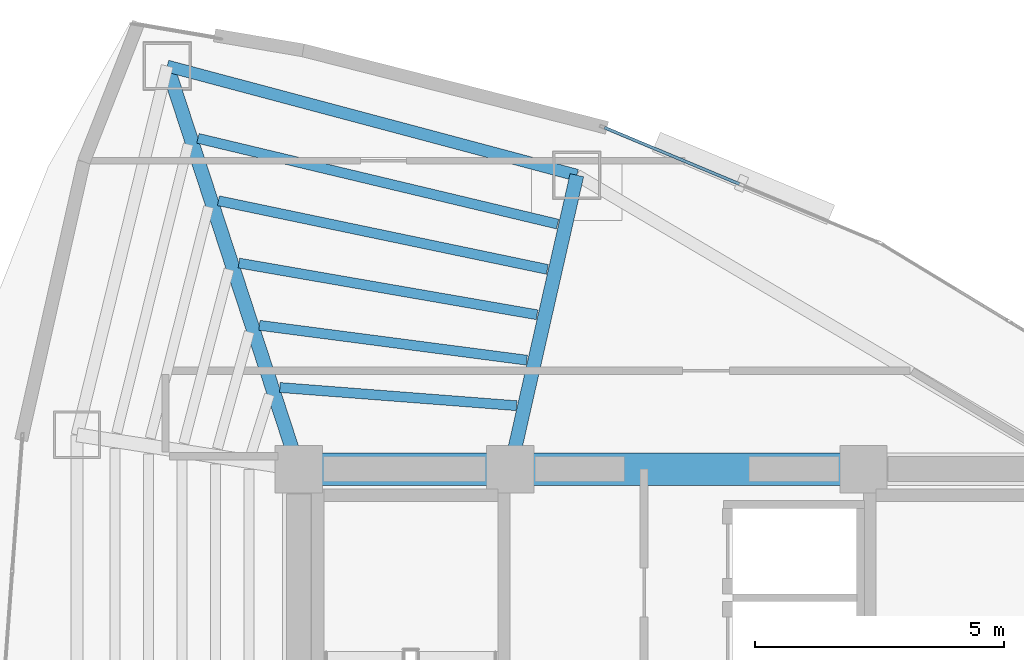
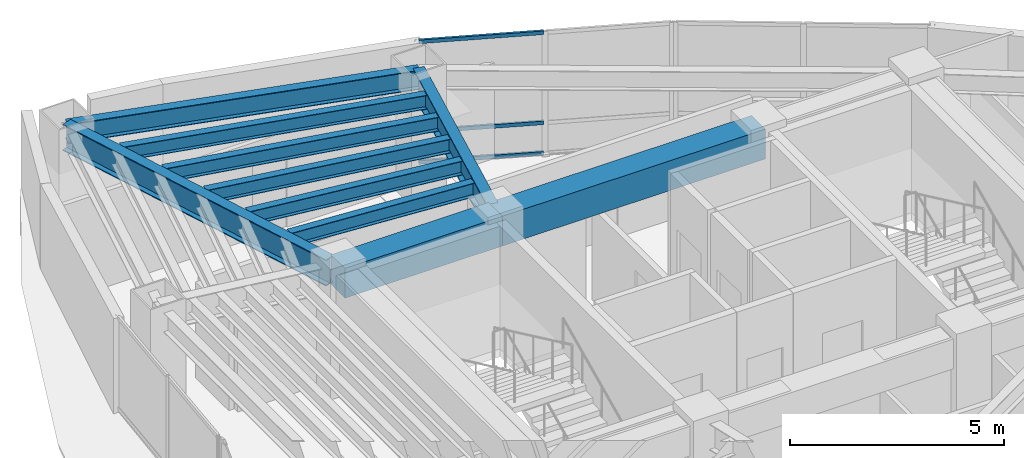
# One storey, part 8 of 15: 10 beams, 3 members, 1 element without a shape of its own.
"""IFC4 building model written with IfcOpenShell, lengths in metres."""

from ifc_helpers import new_model, si_unit, direction, frame, origin, origin_2d, place, context, subcontext, project, spatial, rectangle, hollow_rectangle, i_section, extrude, material, layer, layer_set, material_profile, profile_set, type_object, element, aggregate, save


model = new_model("IFC4")

# Units and contexts
model_context = context("Model", 3, precision=1e-05, world=origin(), true_north=direction((0.0, 1.0)))
body_context = subcontext(model_context, "Body", "Model", "MODEL_VIEW")
ifc_project = project(units=[si_unit("LENGTHUNIT", "METRE"), si_unit("AREAUNIT", "SQUARE_METRE"), si_unit("VOLUMEUNIT", "CUBIC_METRE"), si_unit("PLANEANGLEUNIT", "RADIAN"), si_unit("MASSUNIT", "GRAM", prefix="KILO")], contexts=[model_context])

# Site, building, storey
site_placement = place(None, origin())
site = spatial("IfcSite", under=ifc_project, at=site_placement, CompositionType="ELEMENT")
building_placement = place(site_placement, origin())
building = spatial("IfcBuilding", under=site, at=building_placement, Name="Menara Vayukalpa", CompositionType="ELEMENT")
storey_placement = place(building_placement, frame((0.0, 0.0, 184.080078125)))
storey = spatial("IfcBuildingStorey", under=building, at=storey_placement, Name="L46", CompositionType="ELEMENT", Elevation=184.080078125)

# Beams
ifc_material_1 = material(Name="Concrete C60/75", Category="concrete")
ifc_material_profile_1 = material_profile(ifc_material_1, rectangle(XDim=0.64990234375, YDim=0.85009765625, at=origin_2d()), Name="RC 650x850")
ifc_profile_set_1 = profile_set([ifc_material_profile_1], Name="Concrete C60/75")
beam_type_1 = type_object("IfcBeamType", Name="BM-CB1", PredefinedType="BEAM", material=ifc_profile_set_1)
beam_1_placement = place(storey_placement, frame((17.800048828125, 26.800048828125, 3.074951171875), z_axis=(1.0, 0.0, 0.0), x_axis=(0.0, 1.0, 0.0)))
element("IfcBeam", 1, at=beam_1_placement, inside=storey, type_object=beam_type_1, Name="L46 Core Tie Beam CBR4", PredefinedType="BEAM", context=body_context, shape_type="SweptSolid", body=[
    extrude(rectangle(XDim=0.64990234375, YDim=0.85009765625, at=origin_2d()), origin(), (0.0, 0.0, 1.0), 4.25),
])
beam_2_placement = place(storey_placement, frame((22.050048828125, 26.800048828125, 3.074951171875), z_axis=(1.0, 0.0, 0.0), x_axis=(0.0, 1.0, 0.0)))
element("IfcBeam", 2, at=beam_2_placement, inside=storey, type_object=beam_type_1, Name="L46 Core Tie Beam CBR5", PredefinedType="BEAM", context=body_context, shape_type="SweptSolid", body=[
    extrude(rectangle(XDim=0.64990234375, YDim=0.85009765625, at=origin_2d()), origin(), (0.0, 0.0, 1.0), 7.099853515625),
])
ifc_material_2 = material(Name="Steel S355", Category="steel")
ifc_material_profile_2 = material_profile(ifc_material_2, i_section(OverallWidth=0.280029296875, OverallDepth=0.75, WebThickness=0.013916015625, FlangeThickness=0.02490234375, at=origin_2d()), Name="WF 750x280x14x25")
ifc_profile_set_2 = profile_set([ifc_material_profile_2], Name="Steel S355")
beam_type_2 = type_object("IfcBeamType", Name="BM-PG4", PredefinedType="BEAM", material=ifc_profile_set_2)
beam_3_placement = place(storey_placement, frame((22.105224609375, 27.043701171875, 3.125), z_axis=(0.221085149161, 0.975254508741, 0.0), x_axis=(-0.975254508741, 0.221085149161, 0.0)))
element("IfcBeam", 3, at=beam_3_placement, inside=storey, type_object=beam_type_2, Name="L46 Primary Radial Girder RG03", PredefinedType="BEAM", context=body_context, shape_type="SweptSolid", body=[
    extrude(i_section(OverallWidth=0.280029296875, OverallDepth=0.75, WebThickness=0.013916015625, FlangeThickness=0.02490234375, at=origin_2d()), origin(), (0.0, 0.0, 1.0), 5.80859375),
])
beam_4_placement = place(storey_placement, frame((17.722412109375, 27.03759765625, 3.125), z_axis=(-0.310343552153, 0.950624468251, 0.0), x_axis=(-0.950624468251, -0.310343552153, 0.0)))
element("IfcBeam", 4, at=beam_4_placement, inside=storey, type_object=beam_type_2, Name="L46 Primary Radial Girder RG04", PredefinedType="BEAM", context=body_context, shape_type="SweptSolid", body=[
    extrude(i_section(OverallWidth=0.280029296875, OverallDepth=0.75, WebThickness=0.013916015625, FlangeThickness=0.02490234375, at=origin_2d()), origin(), (0.0, 0.0, 1.0), 8.2734375),
])
ifc_material_3 = material(Name="Steel S355", Category="steel")
ifc_material_profile_3 = material_profile(ifc_material_3, i_section(OverallWidth=0.199951171875, OverallDepth=0.39990234375, WebThickness=0.008056640625, FlangeThickness=0.012939453125, at=origin_2d()), Name="WF 400x200x8x13")
ifc_profile_set_3 = profile_set([ifc_material_profile_3], Name="Steel S355")
beam_type_3 = type_object("IfcBeamType", Name="BM-SJ2", PredefinedType="JOIST", material=ifc_profile_set_3)
beam_5_placement = place(storey_placement, frame((22.177001953125, 28.07568359375, 3.2998046875), z_axis=(-0.997061705182, 0.076602585202, 0.0), x_axis=(-0.076602585202, -0.997061705182, 0.0)))
element("IfcBeam", 5, at=beam_5_placement, inside=storey, type_object=beam_type_3, Name="L46 Secondary Floor Joist SJ03-1", PredefinedType="JOIST", context=body_context, shape_type="SweptSolid", body=[
    extrude(i_section(OverallWidth=0.199951171875, OverallDepth=0.39990234375, WebThickness=0.008056640625, FlangeThickness=0.012939453125, at=origin_2d()), origin(), (0.0, 0.0, 1.0), 4.77099609375),
])
beam_6_placement = place(storey_placement, frame((22.38330078125, 28.990478515625, 3.2998046875), z_axis=(-0.99161070493, 0.129260240866, 0.0), x_axis=(-0.129260240866, -0.99161070493, 0.0)))
element("IfcBeam", 6, at=beam_6_placement, inside=storey, type_object=beam_type_3, Name="L46 Secondary Floor Joist SJ03-2", PredefinedType="JOIST", context=body_context, shape_type="SweptSolid", body=[
    extrude(i_section(OverallWidth=0.199951171875, OverallDepth=0.39990234375, WebThickness=0.008056640625, FlangeThickness=0.012939453125, at=origin_2d()), origin(), (0.0, 0.0, 1.0), 5.420654296875),
])
beam_7_placement = place(storey_placement, frame((22.589599609375, 29.9033203125, 3.2998046875), z_axis=(-0.985288833054, 0.170897382832, 0.0), x_axis=(-0.170897382832, -0.985288833054, 0.0)))
element("IfcBeam", 7, at=beam_7_placement, inside=storey, type_object=beam_type_3, Name="L46 Secondary Floor Joist SJ03-3", PredefinedType="JOIST", context=body_context, shape_type="SweptSolid", body=[
    extrude(i_section(OverallWidth=0.199951171875, OverallDepth=0.39990234375, WebThickness=0.008056640625, FlangeThickness=0.012939453125, at=origin_2d()), origin(), (0.0, 0.0, 1.0), 6.0830078125),
])
beam_8_placement = place(storey_placement, frame((22.796142578125, 30.815185546875, 3.2998046875), z_axis=(-0.97888709748, 0.204401688806, 0.0), x_axis=(-0.204401688806, -0.97888709748, 0.0)))
element("IfcBeam", 8, at=beam_8_placement, inside=storey, type_object=beam_type_3, Name="L46 Secondary Floor Joist SJ03-4", PredefinedType="JOIST", context=body_context, shape_type="SweptSolid", body=[
    extrude(i_section(OverallWidth=0.199951171875, OverallDepth=0.39990234375, WebThickness=0.008056640625, FlangeThickness=0.012939453125, at=origin_2d()), origin(), (0.0, 0.0, 1.0), 6.75439453125),
])
beam_9_placement = place(storey_placement, frame((23.002685546875, 31.725830078125, 3.2998046875), z_axis=(-0.972731800574, 0.231932844055, 0.0), x_axis=(-0.231932844055, -0.972731800574, 0.0)))
element("IfcBeam", 9, at=beam_9_placement, inside=storey, type_object=beam_type_3, Name="L46 Secondary Floor Joist SJ03-5", PredefinedType="JOIST", context=body_context, shape_type="SweptSolid", body=[
    extrude(i_section(OverallWidth=0.199951171875, OverallDepth=0.39990234375, WebThickness=0.008056640625, FlangeThickness=0.012939453125, at=origin_2d()), origin(), (0.0, 0.0, 1.0), 7.4326171875),
])
ifc_material_4 = material(Name="Steel S355", Category="steel")
ifc_material_profile_4 = material_profile(ifc_material_4, i_section(OverallWidth=0.239990234375, OverallDepth=0.550048828125, WebThickness=0.010986328125, FlangeThickness=0.01904296875, at=origin_2d()), Name="WF 550x240x11x19")
ifc_profile_set_4 = profile_set([ifc_material_profile_4], Name="Steel S355")
beam_type_4 = type_object("IfcBeamType", Name="BM-SP2", PredefinedType="SPANDREL", material=ifc_profile_set_4)
beam_10_placement = place(storey_placement, frame((23.389404296875, 32.70849609375, 3.224853515625), z_axis=(-0.966287699272, 0.25746472037, 0.0), x_axis=(-0.25746472037, -0.966287699272, 0.0)))
element("IfcBeam", 10, at=beam_10_placement, inside=storey, type_object=beam_type_4, Name="L46 Perimeter Spandrel Beam SP03", PredefinedType="SPANDREL", context=body_context, shape_type="SweptSolid", body=[
    extrude(i_section(OverallWidth=0.239990234375, OverallDepth=0.550048828125, WebThickness=0.010986328125, FlangeThickness=0.01904296875, at=origin_2d()), origin(), (0.0, 0.0, 1.0), 8.52197265625),
])

# Curtain wall, members
ifc_material_5 = material(Name="Anodised Terracotta Aluminium Alloy 6063-T6", Category="masonry")
ifc_layer = layer(ifc_material_5, 0.139892578125)
ifc_layer_set = layer_set([ifc_layer], Name="Anodised Terracotta Aluminium Alloy 6063-T6")
curtain_wall_type = type_object("IfcCurtainWallType", Name="CW-CW5", PredefinedType="USERDEFINED", material=ifc_layer_set)
curtain_wall_placement = place(storey_placement, origin())
curtain_wall = element("IfcCurtainWall", 11, at=curtain_wall_placement, inside=storey, type_object=curtain_wall_type, Name="L46 High Rise Tapered Curtain Wall CW5 05", ObjectType="UNITISED", PredefinedType="USERDEFINED")
ifc_material_6 = material(Name="Anodised Terracotta Aluminium Alloy 6063-T6", Category="masonry")
ifc_material_profile_5 = material_profile(ifc_material_6, hollow_rectangle(XDim=0.06005859375, YDim=0.10498046875, WallThickness=0.0029296875, at=origin_2d()), Name="ALU 60x105x3")
ifc_profile_set_5 = profile_set([ifc_material_profile_5], Name="Anodised Terracotta Aluminium Alloy 6063-T6")
member_type = type_object("IfcMemberType", Name="CWT-CW5", PredefinedType="USERDEFINED", material=ifc_profile_set_5)
member_1_placement = place(storey_placement, frame((26.658447265625, 32.530029296875, 0.030029296875), z_axis=(-0.922543360613, 0.385893440976, 0.0), x_axis=(-0.385893440976, -0.922543360613, 0.0)))
member_1 = element("IfcMember", 12, at=member_1_placement, type_object=member_type, Name="CW5 transom 2.1", ObjectType="TRANSOM", PredefinedType="USERDEFINED", context=body_context, shape_type="SweptSolid", body=[
    extrude(hollow_rectangle(XDim=0.06005859375, YDim=0.10498046875, WallThickness=0.0029296875, at=origin_2d()), origin(), (0.0, 0.0, 1.0), 2.942626953125),
])
member_2_placement = place(storey_placement, frame((26.658447265625, 32.530029296875, 0.89990234375), z_axis=(-0.922543360613, 0.385893440976, 0.0), x_axis=(-0.385893440976, -0.922543360613, 0.0)))
member_2 = element("IfcMember", 13, at=member_2_placement, type_object=member_type, Name="CW5 transom 2.2", ObjectType="TRANSOM", PredefinedType="USERDEFINED", context=body_context, shape_type="SweptSolid", body=[
    extrude(hollow_rectangle(XDim=0.06005859375, YDim=0.10498046875, WallThickness=0.0029296875, at=origin_2d()), origin(), (0.0, 0.0, 1.0), 2.942626953125),
])
member_3_placement = place(storey_placement, frame((26.658447265625, 32.530029296875, 3.469970703125), z_axis=(-0.922543360613, 0.385893440976, 0.0), x_axis=(-0.385893440976, -0.922543360613, 0.0)))
member_3 = element("IfcMember", 14, at=member_3_placement, type_object=member_type, Name="CW5 transom 2.3", ObjectType="TRANSOM", PredefinedType="USERDEFINED", context=body_context, shape_type="SweptSolid", body=[
    extrude(hollow_rectangle(XDim=0.06005859375, YDim=0.10498046875, WallThickness=0.0029296875, at=origin_2d()), origin(), (0.0, 0.0, 1.0), 2.942626953125),
])
aggregate(curtain_wall, [member_1, member_2, member_3])

save(model, "model.ifc")
